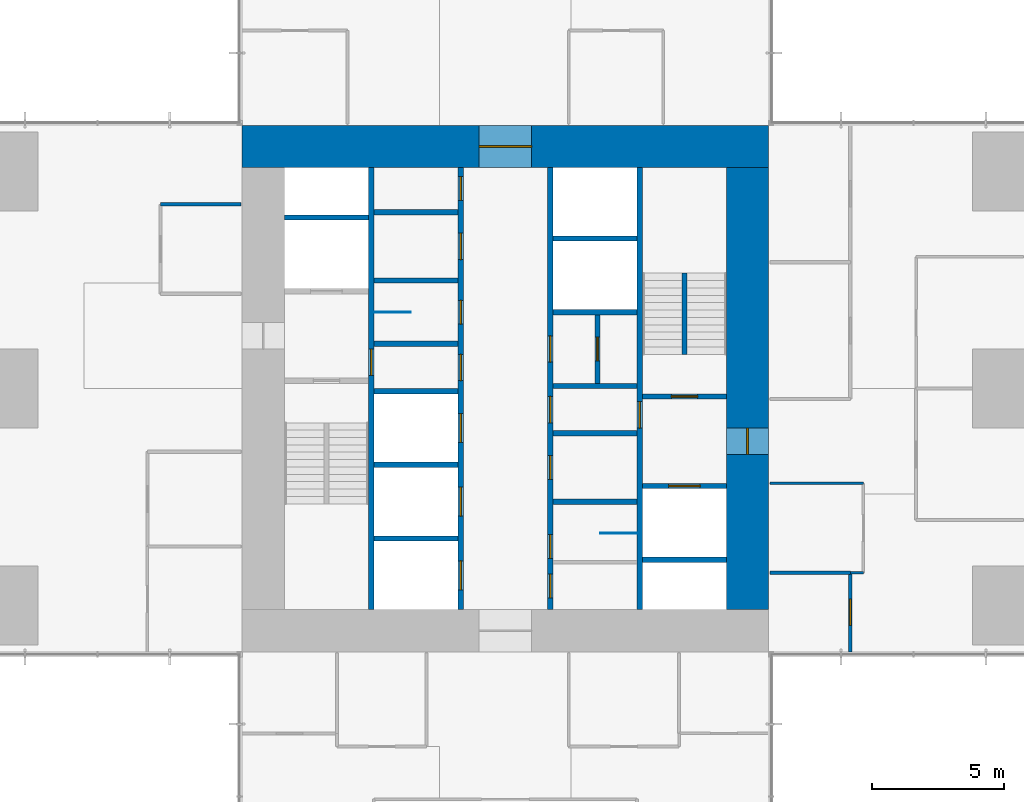
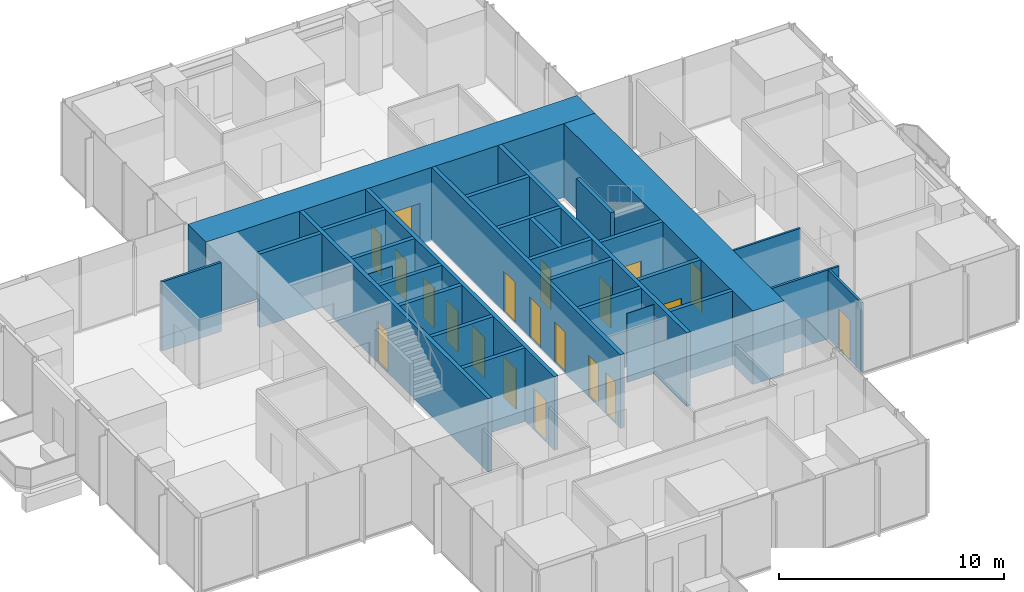
# One storey, part 9 of 13: 30 walls, 20 doors, 20 openings.
"""IFC4 building model written with IfcOpenShell, lengths in metres."""

from ifc_helpers import new_model, si_unit, direction, frame, frame_2d, origin, place, context, subcontext, project, spatial, rectangle, extrude, material, layer, layer_set, type_object, element, fill, save


model = new_model("IFC4")

# Units and contexts
model_context = context("Model", 3, precision=1e-05, world=origin(), true_north=direction((0.0, 1.0)))
body_context = subcontext(model_context, "Body", "Model", "MODEL_VIEW")
ifc_project = project(units=[si_unit("LENGTHUNIT", "METRE"), si_unit("AREAUNIT", "SQUARE_METRE"), si_unit("VOLUMEUNIT", "CUBIC_METRE"), si_unit("PLANEANGLEUNIT", "RADIAN"), si_unit("MASSUNIT", "GRAM", prefix="KILO")], contexts=[model_context])

# Site, building, storey
site_placement = place(None, origin())
site = spatial("IfcSite", under=ifc_project, at=site_placement, CompositionType="ELEMENT")
building_placement = place(site_placement, origin())
building = spatial("IfcBuilding", under=site, at=building_placement, Name="Svetlomir Tower", CompositionType="ELEMENT")
storey_placement = place(building_placement, frame((0.0, 0.0, 100.5)))
storey = spatial("IfcBuildingStorey", under=building, at=storey_placement, Name="L23", CompositionType="ELEMENT", Elevation=100.5)

# Wall, opening, door
ifc_material_1 = material(Name="Concrete C60/75", Category="concrete")
ifc_layer_1 = layer(ifc_material_1, 0.199951171875)
ifc_layer_set_1 = layer_set([ifc_layer_1], Name="Concrete C60/75")
wall_type_1 = type_object("IfcWallType", Name="CORE INNER WALL 200", PredefinedType="SHEAR", material=ifc_layer_set_1)
wall_1_placement = place(storey_placement, frame((15.89990234375, 12.60009765625, -0.050048828125), z_axis=(0.0, 0.0, 1.0), x_axis=(0.0, 1.0, 0.0)))
wall_1 = element("IfcWall", 1, at=wall_1_placement, inside=storey, type_object=wall_type_1, Name="Core inner wall 15.9 L23", PredefinedType="SHEAR", context=body_context, shape_type="SweptSolid", body=[
    extrude(rectangle(XDim=16.7998046875, YDim=0.199951171875, at=frame_2d((8.39990234375, 0.0))), origin(), (0.0, 0.0, 1.0), 4.0),
])
opening_1_placement = place(wall_1_placement, frame((8.89990234375, 0.0, 0.050048828125)))
opening_1 = element("IfcOpeningElement", 2, at=opening_1_placement, cuts=wall_1, Name="Opening DF", PredefinedType="OPENING", context=body_context, shape_type="SweptSolid", body=[
    extrude(rectangle(XDim=1.0, YDim=2.199951171875, at=frame_2d((0.5, 1.10009765625))), frame((0.0, 0.10986328125, 0.0), z_axis=(0.0, -1.0, 0.0), x_axis=(1.0, 0.0, 0.0)), (0.0, 0.0, 1.0), 0.219970703125),
])
ifc_material_2 = material(Name="Steel fire door", Category="steel")
door_type_1 = type_object("IfcDoorType", Name="DOOR DF 1000x2200", OperationType="SINGLE_SWING_LEFT", PredefinedType="DOOR", material=ifc_material_2)
door_1_placement = place(opening_1_placement, origin())
door_1 = element("IfcDoor", 3, at=door_1_placement, inside=storey, type_object=door_type_1, Name="Core corridor west door L23", OperationType="SINGLE_SWING_LEFT", OverallHeight=2.199951171875, OverallWidth=1.0, PredefinedType="DOOR", context=body_context, shape_type="SweptSolid", body=[
    extrude(rectangle(XDim=1.0, YDim=2.199951171875, at=frame_2d((0.5, 1.10009765625))), frame((0.0, 0.02490234375, 0.0), z_axis=(0.0, -1.0, 0.0), x_axis=(1.0, 0.0, 0.0)), (0.0, 0.0, 1.0), 0.050048828125),
])
fill(opening_1, door_1)

# Wall, openings, doors
wall_2_placement = place(storey_placement, frame((19.300048828125, 12.60009765625, -0.050048828125), z_axis=(0.0, 0.0, 1.0), x_axis=(0.0, 1.0, 0.0)))
wall_2 = element("IfcWall", 4, at=wall_2_placement, inside=storey, type_object=wall_type_1, Name="Core inner wall 19.3 L23", PredefinedType="SHEAR", context=body_context, shape_type="SweptSolid", body=[
    extrude(rectangle(XDim=16.7998046875, YDim=0.199951171875, at=frame_2d((8.39990234375, 0.0))), origin(), (0.0, 0.0, 1.0), 4.0),
])
opening_2_placement = place(wall_2_placement, frame((8.699951171875, 0.0, 0.050048828125)))
opening_2 = element("IfcOpeningElement", 5, at=opening_2_placement, cuts=wall_2, Name="Opening DC", PredefinedType="OPENING", context=body_context, shape_type="SweptSolid", body=[
    extrude(rectangle(XDim=1.0, YDim=2.199951171875, at=frame_2d((0.5, 1.10009765625))), frame((0.0, 0.10986328125, 0.0), z_axis=(0.0, -1.0, 0.0), x_axis=(1.0, 0.0, 0.0)), (0.0, 0.0, 1.0), 0.219970703125),
])
opening_3_placement = place(wall_2_placement, frame((10.85009765625, 0.0, 0.050048828125)))
opening_3 = element("IfcOpeningElement", 6, at=opening_3_placement, cuts=wall_2, Name="Opening DW", PredefinedType="OPENING", context=body_context, shape_type="SweptSolid", body=[
    extrude(rectangle(XDim=0.89990234375, YDim=2.199951171875, at=frame_2d((0.449951171875, 1.10009765625))), frame((0.0, 0.10986328125, 0.0), z_axis=(0.0, -1.0, 0.0), x_axis=(1.0, 0.0, 0.0)), (0.0, 0.0, 1.0), 0.219970703125),
])
opening_4_placement = place(wall_2_placement, frame((13.300048828125, 0.0, 0.050048828125)))
opening_4 = element("IfcOpeningElement", 7, at=opening_4_placement, cuts=wall_2, Name="Opening DC", PredefinedType="OPENING", context=body_context, shape_type="SweptSolid", body=[
    extrude(rectangle(XDim=1.0, YDim=2.199951171875, at=frame_2d((0.5, 1.10009765625))), frame((0.0, 0.10986328125, 0.0), z_axis=(0.0, -1.0, 0.0), x_axis=(1.0, 0.0, 0.0)), (0.0, 0.0, 1.0), 0.219970703125),
])
opening_5_placement = place(wall_2_placement, frame((15.550048828125, 0.0, 0.050048828125)))
opening_5 = element("IfcOpeningElement", 8, at=opening_5_placement, cuts=wall_2, Name="Opening DW", PredefinedType="OPENING", context=body_context, shape_type="SweptSolid", body=[
    extrude(rectangle(XDim=0.89990234375, YDim=2.199951171875, at=frame_2d((0.449951171875, 1.10009765625))), frame((0.0, 0.10986328125, 0.0), z_axis=(0.0, -1.0, 0.0), x_axis=(1.0, 0.0, 0.0)), (0.0, 0.0, 1.0), 0.219970703125),
])
opening_6_placement = place(wall_2_placement, frame((0.75, 0.0, 0.050048828125)))
opening_6 = element("IfcOpeningElement", 9, at=opening_6_placement, cuts=wall_2, Name="Opening LD", PredefinedType="OPENING", context=body_context, shape_type="SweptSolid", body=[
    extrude(rectangle(XDim=1.10009765625, YDim=2.199951171875, at=frame_2d((0.550048828125, 1.10009765625))), frame((0.0, 0.10986328125, 0.0), z_axis=(0.0, -1.0, 0.0), x_axis=(1.0, 0.0, 0.0)), (0.0, 0.0, 1.0), 0.219970703125),
])
opening_7_placement = place(wall_2_placement, frame((3.550048828125, 0.0, 0.050048828125)))
opening_7 = element("IfcOpeningElement", 10, at=opening_7_placement, cuts=wall_2, Name="Opening LD", PredefinedType="OPENING", context=body_context, shape_type="SweptSolid", body=[
    extrude(rectangle(XDim=1.10009765625, YDim=2.199951171875, at=frame_2d((0.550048828125, 1.10009765625))), frame((0.0, 0.10986328125, 0.0), z_axis=(0.0, -1.0, 0.0), x_axis=(1.0, 0.0, 0.0)), (0.0, 0.0, 1.0), 0.219970703125),
])
opening_8_placement = place(wall_2_placement, frame((6.35009765625, 0.0, 0.050048828125)))
opening_8 = element("IfcOpeningElement", 11, at=opening_8_placement, cuts=wall_2, Name="Opening LD", PredefinedType="OPENING", context=body_context, shape_type="SweptSolid", body=[
    extrude(rectangle(XDim=1.10009765625, YDim=2.199951171875, at=frame_2d((0.550048828125, 1.10009765625))), frame((0.0, 0.10986328125, 0.0), z_axis=(0.0, -1.0, 0.0), x_axis=(1.0, 0.0, 0.0)), (0.0, 0.0, 1.0), 0.219970703125),
])
ifc_material_3 = material(Name="Timber fire door", Category="wood")
door_type_2 = type_object("IfcDoorType", Name="DOOR DC 1000x2200", OperationType="SINGLE_SWING_LEFT", PredefinedType="DOOR", material=ifc_material_3)
door_2_placement = place(opening_2_placement, origin())
door_2 = element("IfcDoor", 12, at=door_2_placement, inside=storey, type_object=door_type_2, Name="Core corridor west lobby door L23", OperationType="SINGLE_SWING_RIGHT", OverallHeight=2.199951171875, OverallWidth=1.0, PredefinedType="DOOR", context=body_context, shape_type="SweptSolid", body=[
    extrude(rectangle(XDim=1.0, YDim=2.199951171875, at=frame_2d((0.5, 1.10009765625))), frame((0.0, 0.02490234375, 0.0), z_axis=(0.0, -1.0, 0.0), x_axis=(1.0, 0.0, 0.0)), (0.0, 0.0, 1.0), 0.050048828125),
])
fill(opening_2, door_2)
door_3_placement = place(opening_4_placement, origin())
door_3 = element("IfcDoor", 13, at=door_3_placement, inside=storey, type_object=door_type_2, Name="Accessible WC door L23", OperationType="SINGLE_SWING_LEFT", OverallHeight=2.199951171875, OverallWidth=1.0, PredefinedType="DOOR", context=body_context, shape_type="SweptSolid", body=[
    extrude(rectangle(XDim=1.0, YDim=2.199951171875, at=frame_2d((0.5, 1.10009765625))), frame((0.0, 0.02490234375, 0.0), z_axis=(0.0, -1.0, 0.0), x_axis=(1.0, 0.0, 0.0)), (0.0, 0.0, 1.0), 0.050048828125),
])
fill(opening_4, door_3)
ifc_material_4 = material(Name="Timber fire door", Category="wood")
door_type_3 = type_object("IfcDoorType", Name="DOOR DW 900x2200", OperationType="SINGLE_SWING_LEFT", PredefinedType="DOOR", material=ifc_material_4)
door_4_placement = place(opening_3_placement, origin())
door_4 = element("IfcDoor", 14, at=door_4_placement, inside=storey, type_object=door_type_3, Name="Female WC door L23", OperationType="SINGLE_SWING_RIGHT", OverallHeight=2.199951171875, OverallWidth=0.89990234375, PredefinedType="DOOR", context=body_context, shape_type="SweptSolid", body=[
    extrude(rectangle(XDim=0.89990234375, YDim=2.199951171875, at=frame_2d((0.449951171875, 1.10009765625))), frame((0.0, 0.02490234375, 0.0), z_axis=(0.0, -1.0, 0.0), x_axis=(1.0, 0.0, 0.0)), (0.0, 0.0, 1.0), 0.050048828125),
])
fill(opening_3, door_4)
door_5_placement = place(opening_5_placement, origin())
door_5 = element("IfcDoor", 15, at=door_5_placement, inside=storey, type_object=door_type_3, Name="IT floor distributor room door L23", OperationType="SINGLE_SWING_RIGHT", OverallHeight=2.199951171875, OverallWidth=0.89990234375, PredefinedType="DOOR", context=body_context, shape_type="SweptSolid", body=[
    extrude(rectangle(XDim=0.89990234375, YDim=2.199951171875, at=frame_2d((0.449951171875, 1.10009765625))), frame((0.0, 0.02490234375, 0.0), z_axis=(0.0, -1.0, 0.0), x_axis=(1.0, 0.0, 0.0)), (0.0, 0.0, 1.0), 0.050048828125),
])
fill(opening_5, door_5)
ifc_material_5 = material(Name="Stainless steel landing door", Category="steel")
door_type_4 = type_object("IfcDoorType", Name="LIFT LANDING DOOR LD 1100x2200", OperationType="DOUBLE_DOOR_SLIDING", PredefinedType="DOOR", material=ifc_material_5)
door_6_placement = place(opening_6_placement, origin())
door_6 = element("IfcDoor", 16, at=door_6_placement, inside=storey, type_object=door_type_4, Name="Landing door lift LB1 L23", OperationType="DOUBLE_DOOR_SLIDING", OverallHeight=2.199951171875, OverallWidth=1.10009765625, PredefinedType="DOOR", context=body_context, shape_type="SweptSolid", body=[
    extrude(rectangle(XDim=1.10009765625, YDim=2.199951171875, at=frame_2d((0.550048828125, 1.10009765625))), frame((0.0, 0.02490234375, 0.0), z_axis=(0.0, -1.0, 0.0), x_axis=(1.0, 0.0, 0.0)), (0.0, 0.0, 1.0), 0.050048828125),
])
fill(opening_6, door_6)
door_7_placement = place(opening_7_placement, origin())
door_7 = element("IfcDoor", 17, at=door_7_placement, inside=storey, type_object=door_type_4, Name="Landing door lift LB2 L23", OperationType="DOUBLE_DOOR_SLIDING", OverallHeight=2.199951171875, OverallWidth=1.10009765625, PredefinedType="DOOR", context=body_context, shape_type="SweptSolid", body=[
    extrude(rectangle(XDim=1.10009765625, YDim=2.199951171875, at=frame_2d((0.550048828125, 1.10009765625))), frame((0.0, 0.02490234375, 0.0), z_axis=(0.0, -1.0, 0.0), x_axis=(1.0, 0.0, 0.0)), (0.0, 0.0, 1.0), 0.050048828125),
])
fill(opening_7, door_7)
door_8_placement = place(opening_8_placement, origin())
door_8 = element("IfcDoor", 18, at=door_8_placement, inside=storey, type_object=door_type_4, Name="Landing door lift LB3 L23", OperationType="DOUBLE_DOOR_SLIDING", OverallHeight=2.199951171875, OverallWidth=1.10009765625, PredefinedType="DOOR", context=body_context, shape_type="SweptSolid", body=[
    extrude(rectangle(XDim=1.10009765625, YDim=2.199951171875, at=frame_2d((0.550048828125, 1.10009765625))), frame((0.0, 0.02490234375, 0.0), z_axis=(0.0, -1.0, 0.0), x_axis=(1.0, 0.0, 0.0)), (0.0, 0.0, 1.0), 0.050048828125),
])
fill(opening_8, door_8)

wall_3_placement = place(storey_placement, frame((22.699951171875, 12.60009765625, -0.050048828125), z_axis=(0.0, 0.0, 1.0), x_axis=(0.0, 1.0, 0.0)))
wall_3 = element("IfcWall", 19, at=wall_3_placement, inside=storey, type_object=wall_type_1, Name="Core inner wall 22.7 L23", PredefinedType="SHEAR", context=body_context, shape_type="SweptSolid", body=[
    extrude(rectangle(XDim=16.7998046875, YDim=0.199951171875, at=frame_2d((8.39990234375, 0.0))), origin(), (0.0, 0.0, 1.0), 4.0),
])
opening_9_placement = place(wall_3_placement, frame((0.449951171875, 0.0, 0.050048828125)))
opening_9 = element("IfcOpeningElement", 20, at=opening_9_placement, cuts=wall_3, Name="Opening DW", PredefinedType="OPENING", context=body_context, shape_type="SweptSolid", body=[
    extrude(rectangle(XDim=0.89990234375, YDim=2.199951171875, at=frame_2d((0.449951171875, 1.10009765625))), frame((0.0, 0.10986328125, 0.0), z_axis=(0.0, -1.0, 0.0), x_axis=(1.0, 0.0, 0.0)), (0.0, 0.0, 1.0), 0.219970703125),
])
opening_10_placement = place(wall_3_placement, frame((7.10009765625, 0.0, 0.050048828125)))
opening_10 = element("IfcOpeningElement", 21, at=opening_10_placement, cuts=wall_3, Name="Opening DC", PredefinedType="OPENING", context=body_context, shape_type="SweptSolid", body=[
    extrude(rectangle(XDim=1.0, YDim=2.199951171875, at=frame_2d((0.5, 1.10009765625))), frame((0.0, 0.10986328125, 0.0), z_axis=(0.0, -1.0, 0.0), x_axis=(1.0, 0.0, 0.0)), (0.0, 0.0, 1.0), 0.219970703125),
])
opening_11_placement = place(wall_3_placement, frame((1.949951171875, 0.0, 0.050048828125)))
opening_11 = element("IfcOpeningElement", 22, at=opening_11_placement, cuts=wall_3, Name="Opening DW", PredefinedType="OPENING", context=body_context, shape_type="SweptSolid", body=[
    extrude(rectangle(XDim=0.89990234375, YDim=2.199951171875, at=frame_2d((0.449951171875, 1.10009765625))), frame((0.0, 0.10986328125, 0.0), z_axis=(0.0, -1.0, 0.0), x_axis=(1.0, 0.0, 0.0)), (0.0, 0.0, 1.0), 0.219970703125),
])
opening_12_placement = place(wall_3_placement, frame((4.949951171875, 0.0, 0.050048828125)))
opening_12 = element("IfcOpeningElement", 23, at=opening_12_placement, cuts=wall_3, Name="Opening DW", PredefinedType="OPENING", context=body_context, shape_type="SweptSolid", body=[
    extrude(rectangle(XDim=0.89990234375, YDim=2.199951171875, at=frame_2d((0.449951171875, 1.10009765625))), frame((0.0, 0.10986328125, 0.0), z_axis=(0.0, -1.0, 0.0), x_axis=(1.0, 0.0, 0.0)), (0.0, 0.0, 1.0), 0.219970703125),
])
opening_13_placement = place(wall_3_placement, frame((9.39990234375, 0.0, 0.050048828125)))
opening_13 = element("IfcOpeningElement", 24, at=opening_13_placement, cuts=wall_3, Name="Opening DC", PredefinedType="OPENING", context=body_context, shape_type="SweptSolid", body=[
    extrude(rectangle(XDim=1.0, YDim=2.199951171875, at=frame_2d((0.5, 1.10009765625))), frame((0.0, 0.10986328125, 0.0), z_axis=(0.0, -1.0, 0.0), x_axis=(1.0, 0.0, 0.0)), (0.0, 0.0, 1.0), 0.219970703125),
])
door_9_placement = place(opening_10_placement, origin())
door_9 = element("IfcDoor", 25, at=door_9_placement, inside=storey, type_object=door_type_2, Name="Core corridor east lobby door L23", OperationType="SINGLE_SWING_LEFT", OverallHeight=2.199951171875, OverallWidth=1.0, PredefinedType="DOOR", context=body_context, shape_type="SweptSolid", body=[
    extrude(rectangle(XDim=1.0, YDim=2.199951171875, at=frame_2d((0.5, 1.10009765625))), frame((0.0, 0.02490234375, 0.0), z_axis=(0.0, -1.0, 0.0), x_axis=(1.0, 0.0, 0.0)), (0.0, 0.0, 1.0), 0.050048828125),
])
fill(opening_10, door_9)
door_10_placement = place(opening_13_placement, origin())
door_10 = element("IfcDoor", 26, at=door_10_placement, inside=storey, type_object=door_type_2, Name="Converted shaft BANK-E1 room door L23", OperationType="SINGLE_SWING_LEFT", OverallHeight=2.199951171875, OverallWidth=1.0, PredefinedType="DOOR", context=body_context, shape_type="SweptSolid", body=[
    extrude(rectangle(XDim=1.0, YDim=2.199951171875, at=frame_2d((0.5, 1.10009765625))), frame((0.0, 0.02490234375, 0.0), z_axis=(0.0, -1.0, 0.0), x_axis=(1.0, 0.0, 0.0)), (0.0, 0.0, 1.0), 0.050048828125),
])
fill(opening_13, door_10)
door_11_placement = place(opening_9_placement, origin())
door_11 = element("IfcDoor", 27, at=door_11_placement, inside=storey, type_object=door_type_3, Name="Floor store door L23", OperationType="SINGLE_SWING_LEFT", OverallHeight=2.199951171875, OverallWidth=0.89990234375, PredefinedType="DOOR", context=body_context, shape_type="SweptSolid", body=[
    extrude(rectangle(XDim=0.89990234375, YDim=2.199951171875, at=frame_2d((0.449951171875, 1.10009765625))), frame((0.0, 0.02490234375, 0.0), z_axis=(0.0, -1.0, 0.0), x_axis=(1.0, 0.0, 0.0)), (0.0, 0.0, 1.0), 0.050048828125),
])
fill(opening_9, door_11)
door_12_placement = place(opening_11_placement, origin())
door_12 = element("IfcDoor", 28, at=door_12_placement, inside=storey, type_object=door_type_3, Name="Male WC door L23", OperationType="SINGLE_SWING_LEFT", OverallHeight=2.199951171875, OverallWidth=0.89990234375, PredefinedType="DOOR", context=body_context, shape_type="SweptSolid", body=[
    extrude(rectangle(XDim=0.89990234375, YDim=2.199951171875, at=frame_2d((0.449951171875, 1.10009765625))), frame((0.0, 0.02490234375, 0.0), z_axis=(0.0, -1.0, 0.0), x_axis=(1.0, 0.0, 0.0)), (0.0, 0.0, 1.0), 0.050048828125),
])
fill(opening_11, door_12)
door_13_placement = place(opening_12_placement, origin())
door_13 = element("IfcDoor", 29, at=door_13_placement, inside=storey, type_object=door_type_3, Name="Comms room door L23", OperationType="SINGLE_SWING_RIGHT", OverallHeight=2.199951171875, OverallWidth=0.89990234375, PredefinedType="DOOR", context=body_context, shape_type="SweptSolid", body=[
    extrude(rectangle(XDim=0.89990234375, YDim=2.199951171875, at=frame_2d((0.449951171875, 1.10009765625))), frame((0.0, 0.02490234375, 0.0), z_axis=(0.0, -1.0, 0.0), x_axis=(1.0, 0.0, 0.0)), (0.0, 0.0, 1.0), 0.050048828125),
])
fill(opening_12, door_13)

# Wall, opening, door
wall_4_placement = place(storey_placement, frame((26.10009765625, 12.60009765625, -0.050048828125), z_axis=(0.0, 0.0, 1.0), x_axis=(0.0, 1.0, 0.0)))
wall_4 = element("IfcWall", 30, at=wall_4_placement, inside=storey, type_object=wall_type_1, Name="Core inner wall 26.1 L23", PredefinedType="SHEAR", context=body_context, shape_type="SweptSolid", body=[
    extrude(rectangle(XDim=16.7998046875, YDim=0.199951171875, at=frame_2d((8.39990234375, 0.0))), origin(), (0.0, 0.0, 1.0), 4.0),
])
opening_14_placement = place(wall_4_placement, frame((6.89990234375, 0.0, 0.050048828125)))
opening_14 = element("IfcOpeningElement", 31, at=opening_14_placement, cuts=wall_4, Name="Opening DF", PredefinedType="OPENING", context=body_context, shape_type="SweptSolid", body=[
    extrude(rectangle(XDim=1.0, YDim=2.199951171875, at=frame_2d((0.5, 1.10009765625))), frame((0.0, 0.10986328125, 0.0), z_axis=(0.0, -1.0, 0.0), x_axis=(1.0, 0.0, 0.0)), (0.0, 0.0, 1.0), 0.219970703125),
])
door_14_placement = place(opening_14_placement, origin())
door_14 = element("IfcDoor", 32, at=door_14_placement, inside=storey, type_object=door_type_1, Name="Core corridor east door L23", OperationType="SINGLE_SWING_LEFT", OverallHeight=2.199951171875, OverallWidth=1.0, PredefinedType="DOOR", context=body_context, shape_type="SweptSolid", body=[
    extrude(rectangle(XDim=1.0, YDim=2.199951171875, at=frame_2d((0.5, 1.10009765625))), frame((0.0, 0.02490234375, 0.0), z_axis=(0.0, -1.0, 0.0), x_axis=(1.0, 0.0, 0.0)), (0.0, 0.0, 1.0), 0.050048828125),
])
fill(opening_14, door_14)

# Walls
for number, where, z_axis, x_axis, name in (
    (33, (12.60009765625, 27.5, -0.050048828125), (0.0, 0.0, 1.0), (1.0, 0.0, 0.0), "Core inner wall 12.6-15.8/27.5 L23"),
    (34, (16.0, 15.300048828125, -0.050048828125), (0.0, 0.0, 1.0), (1.0, 0.0, 0.0), "Core inner wall 16-19.2/15.3 L23"),
    (35, (16.0, 18.10009765625, -0.050048828125), (0.0, 0.0, 1.0), (1.0, 0.0, 0.0), "Core inner wall 16-19.2/18.1 L23"),
    (36, (16.0, 20.89990234375, -0.050048828125), (0.0, 0.0, 1.0), (1.0, 0.0, 0.0), "Core inner wall 16-19.2/20.9 L23"),
    (37, (16.0, 22.699951171875, -0.050048828125), (0.0, 0.0, 1.0), (1.0, 0.0, 0.0), "Core inner wall 16-19.2/22.7 L23"),
    (38, (16.0, 25.10009765625, -0.050048828125), (0.0, 0.0, 1.0), (1.0, 0.0, 0.0), "Core inner wall 16-19.2/25.1 L23"),
    (39, (16.0, 27.699951171875, -0.050048828125), (0.0, 0.0, 1.0), (1.0, 0.0, 0.0), "Core inner wall 16-19.2/27.7 L23"),
    (40, (22.800048828125, 16.699951171875, -0.050048828125), (0.0, 0.0, 1.0), (1.0, 0.0, 0.0), "Core inner wall 22.8-26/16.7 L23"),
    (41, (22.800048828125, 19.300048828125, -0.050048828125), (0.0, 0.0, 1.0), (1.0, 0.0, 0.0), "Core inner wall 22.8-26/19.3 L23"),
    (42, (22.800048828125, 21.10009765625, -0.050048828125), (0.0, 0.0, 1.0), (1.0, 0.0, 0.0), "Core inner wall 22.8-26/21.1 L23"),
    (43, (22.800048828125, 23.89990234375, -0.050048828125), (0.0, 0.0, 1.0), (1.0, 0.0, 0.0), "Core inner wall 22.8-26/23.9 L23"),
    (44, (22.800048828125, 26.699951171875, -0.050048828125), (0.0, 0.0, 1.0), (1.0, 0.0, 0.0), "Core inner wall 22.8-26/26.7 L23"),
    (45, (26.199951171875, 14.5, -0.050048828125), (0.0, 0.0, 1.0), (1.0, 0.0, 0.0), "Core inner wall 26.2-29.4/14.5 L23"),
):
    element("IfcWall", number, at=place(storey_placement, frame(where, z_axis=z_axis, x_axis=x_axis)), inside=storey, type_object=wall_type_1, Name=name, PredefinedType="SHEAR", context=body_context, shape_type="SweptSolid", body=[
        extrude(rectangle(XDim=3.199951171875, YDim=0.199951171875, at=frame_2d((1.60009765625, 0.0))), origin(), (0.0, 0.0, 1.0), 4.0),
    ])

# Wall, opening, door
wall_5_placement = place(storey_placement, frame((26.199951171875, 17.300048828125, -0.050048828125), z_axis=(0.0, 0.0, 1.0), x_axis=(1.0, 0.0, 0.0)))
wall_5 = element("IfcWall", 46, at=wall_5_placement, inside=storey, type_object=wall_type_1, Name="Core inner wall 26.2-29.4/17.3 L23", PredefinedType="SHEAR", context=body_context, shape_type="SweptSolid", body=[
    extrude(rectangle(XDim=3.199951171875, YDim=0.199951171875, at=frame_2d((1.60009765625, 0.0))), origin(), (0.0, 0.0, 1.0), 4.0),
])
opening_15_placement = place(wall_5_placement, frame((1.0, 0.0, 0.050048828125)))
opening_15 = element("IfcOpeningElement", 47, at=opening_15_placement, cuts=wall_5, Name="Opening LD3", PredefinedType="OPENING", context=body_context, shape_type="SweptSolid", body=[
    extrude(rectangle(XDim=1.199951171875, YDim=2.199951171875, at=frame_2d((0.60009765625, 1.10009765625))), frame((0.0, 0.10986328125, 0.0), z_axis=(0.0, -1.0, 0.0), x_axis=(1.0, 0.0, 0.0)), (0.0, 0.0, 1.0), 0.219970703125),
])
ifc_material_6 = material(Name="Stainless steel fire-rated landing door", Category="steel")
door_type_5 = type_object("IfcDoorType", Name="FIREFIGHTING LIFT LANDING DOOR LD3 1200x2200", OperationType="DOUBLE_DOOR_SLIDING", PredefinedType="DOOR", material=ifc_material_6)
door_15_placement = place(opening_15_placement, origin())
door_15 = element("IfcDoor", 48, at=door_15_placement, inside=storey, type_object=door_type_5, Name="Landing door lift FL2 L23", OperationType="DOUBLE_DOOR_SLIDING", OverallHeight=2.199951171875, OverallWidth=1.199951171875, PredefinedType="DOOR", context=body_context, shape_type="SweptSolid", body=[
    extrude(rectangle(XDim=1.199951171875, YDim=2.199951171875, at=frame_2d((0.60009765625, 1.10009765625))), frame((0.0, 0.02490234375, 0.0), z_axis=(0.0, -1.0, 0.0), x_axis=(1.0, 0.0, 0.0)), (0.0, 0.0, 1.0), 0.050048828125),
])
fill(opening_15, door_15)

wall_6_placement = place(storey_placement, frame((26.199951171875, 20.699951171875, -0.050048828125), z_axis=(0.0, 0.0, 1.0), x_axis=(1.0, 0.0, 0.0)))
wall_6 = element("IfcWall", 49, at=wall_6_placement, inside=storey, type_object=wall_type_1, Name="Core inner wall 26.2-29.4/20.7 L23", PredefinedType="SHEAR", context=body_context, shape_type="SweptSolid", body=[
    extrude(rectangle(XDim=3.199951171875, YDim=0.199951171875, at=frame_2d((1.60009765625, 0.0))), origin(), (0.0, 0.0, 1.0), 4.0),
])
opening_16_placement = place(wall_6_placement, frame((1.10009765625, 0.0, 0.050048828125)))
opening_16 = element("IfcOpeningElement", 50, at=opening_16_placement, cuts=wall_6, Name="Opening DF", PredefinedType="OPENING", context=body_context, shape_type="SweptSolid", body=[
    extrude(rectangle(XDim=1.0, YDim=2.199951171875, at=frame_2d((0.5, 1.10009765625))), frame((0.0, 0.10986328125, 0.0), z_axis=(0.0, -1.0, 0.0), x_axis=(1.0, 0.0, 0.0)), (0.0, 0.0, 1.0), 0.219970703125),
])
door_16_placement = place(opening_16_placement, origin())
door_16 = element("IfcDoor", 51, at=door_16_placement, inside=storey, type_object=door_type_1, Name="Stair S2 door L23", OperationType="SINGLE_SWING_LEFT", OverallHeight=2.199951171875, OverallWidth=1.0, PredefinedType="DOOR", context=body_context, shape_type="SweptSolid", body=[
    extrude(rectangle(XDim=1.0, YDim=2.199951171875, at=frame_2d((0.5, 1.10009765625))), frame((0.0, 0.02490234375, 0.0), z_axis=(0.0, -1.0, 0.0), x_axis=(1.0, 0.0, 0.0)), (0.0, 0.0, 1.0), 0.050048828125),
])
fill(opening_16, door_16)

wall_7_placement = place(storey_placement, frame((24.5, 21.199951171875, -0.050048828125), z_axis=(0.0, 0.0, 1.0), x_axis=(0.0, 1.0, 0.0)))
wall_7 = element("IfcWall", 52, at=wall_7_placement, inside=storey, type_object=wall_type_1, Name="Core inner wall 24.5/21.2-23.8 L23", PredefinedType="SHEAR", context=body_context, shape_type="SweptSolid", body=[
    extrude(rectangle(XDim=2.60009765625, YDim=0.199951171875, at=frame_2d((1.300048828125, 0.0))), origin(), (0.0, 0.0, 1.0), 4.0),
])
opening_17_placement = place(wall_7_placement, frame((0.85009765625, 0.0, 0.050048828125)))
opening_17 = element("IfcOpeningElement", 53, at=opening_17_placement, cuts=wall_7, Name="Opening DW", PredefinedType="OPENING", context=body_context, shape_type="SweptSolid", body=[
    extrude(rectangle(XDim=0.89990234375, YDim=2.199951171875, at=frame_2d((0.449951171875, 1.10009765625))), frame((0.0, 0.10986328125, 0.0), z_axis=(0.0, -1.0, 0.0), x_axis=(1.0, 0.0, 0.0)), (0.0, 0.0, 1.0), 0.219970703125),
])
door_17_placement = place(opening_17_placement, origin())
door_17 = element("IfcDoor", 54, at=door_17_placement, inside=storey, type_object=door_type_3, Name="Converted shaft BANK-E1 back room door L23", OperationType="SINGLE_SWING_RIGHT", OverallHeight=2.199951171875, OverallWidth=0.89990234375, PredefinedType="DOOR", context=body_context, shape_type="SweptSolid", body=[
    extrude(rectangle(XDim=0.89990234375, YDim=2.199951171875, at=frame_2d((0.449951171875, 1.10009765625))), frame((0.0, 0.02490234375, 0.0), z_axis=(0.0, -1.0, 0.0), x_axis=(1.0, 0.0, 0.0)), (0.0, 0.0, 1.0), 0.050048828125),
])
fill(opening_17, door_17)

ifc_material_7 = material(Name="Concrete C60/75", Category="concrete")
ifc_layer_2 = layer(ifc_material_7, 1.60009765625)
ifc_layer_set_2 = layer_set([ifc_layer_2], Name="Concrete C60/75")
wall_type_2 = type_object("IfcWallType", Name="CORE WALL 1600", PredefinedType="SHEAR", material=ifc_layer_set_2)
wall_8_placement = place(storey_placement, frame((11.0, 30.199951171875, -0.050048828125), z_axis=(0.0, 0.0, 1.0), x_axis=(1.0, 0.0, 0.0)))
wall_8 = element("IfcWall", 55, at=wall_8_placement, inside=storey, type_object=wall_type_2, Name="Core wall north L23", PredefinedType="SHEAR", context=body_context, shape_type="SweptSolid", body=[
    extrude(rectangle(XDim=20.0, YDim=1.60009765625, at=frame_2d((10.0, 0.0))), origin(), (0.0, 0.0, 1.0), 4.0),
])
opening_18_placement = place(wall_8_placement, frame((9.0, 0.0, 0.050048828125)))
opening_18 = element("IfcOpeningElement", 56, at=opening_18_placement, cuts=wall_8, Name="Opening DL", PredefinedType="OPENING", context=body_context, shape_type="SweptSolid", body=[
    extrude(rectangle(XDim=2.0, YDim=2.199951171875, at=frame_2d((1.0, 1.10009765625))), frame((0.0, 0.81005859375, 0.0), z_axis=(0.0, -1.0, 0.0), x_axis=(1.0, 0.0, 0.0)), (0.0, 0.0, 1.0), 1.6201171875),
])
ifc_material_8 = material(Name="Steel fire door", Category="steel")
door_type_6 = type_object("IfcDoorType", Name="DOOR DL 2000x2200", OperationType="DOUBLE_DOOR_SINGLE_SWING", PredefinedType="DOOR", material=ifc_material_8)
door_18_placement = place(opening_18_placement, origin())
door_18 = element("IfcDoor", 57, at=door_18_placement, inside=storey, type_object=door_type_6, Name="Lift lobby north door L23", OperationType="DOUBLE_DOOR_SINGLE_SWING", OverallHeight=2.199951171875, OverallWidth=2.0, PredefinedType="DOOR", context=body_context, shape_type="SweptSolid", body=[
    extrude(rectangle(XDim=2.0, YDim=2.199951171875, at=frame_2d((1.0, 1.10009765625))), frame((0.0, 0.02490234375, 0.0), z_axis=(0.0, -1.0, 0.0), x_axis=(1.0, 0.0, 0.0)), (0.0, 0.0, 1.0), 0.050048828125),
])
fill(opening_18, door_18)

wall_9_placement = place(storey_placement, frame((30.199951171875, 12.60009765625, -0.050048828125), z_axis=(0.0, 0.0, 1.0), x_axis=(0.0, 1.0, 0.0)))
wall_9 = element("IfcWall", 58, at=wall_9_placement, inside=storey, type_object=wall_type_2, Name="Core wall east L23", PredefinedType="SHEAR", context=body_context, shape_type="SweptSolid", body=[
    extrude(rectangle(XDim=16.7998046875, YDim=1.60009765625, at=frame_2d((8.39990234375, 0.0))), origin(), (0.0, 0.0, 1.0), 4.0),
])
opening_19_placement = place(wall_9_placement, frame((5.89990234375, 0.0, 0.050048828125)))
opening_19 = element("IfcOpeningElement", 59, at=opening_19_placement, cuts=wall_9, Name="Opening DF", PredefinedType="OPENING", context=body_context, shape_type="SweptSolid", body=[
    extrude(rectangle(XDim=1.0, YDim=2.199951171875, at=frame_2d((0.5, 1.10009765625))), frame((0.0, 0.81005859375, 0.0), z_axis=(0.0, -1.0, 0.0), x_axis=(1.0, 0.0, 0.0)), (0.0, 0.0, 1.0), 1.6201171875),
])
door_19_placement = place(opening_19_placement, origin())
door_19 = element("IfcDoor", 60, at=door_19_placement, inside=storey, type_object=door_type_1, Name="Firefighting lobby east door L23", OperationType="SINGLE_SWING_LEFT", OverallHeight=2.199951171875, OverallWidth=1.0, PredefinedType="DOOR", context=body_context, shape_type="SweptSolid", body=[
    extrude(rectangle(XDim=1.0, YDim=2.199951171875, at=frame_2d((0.5, 1.10009765625))), frame((0.0, 0.02490234375, 0.0), z_axis=(0.0, -1.0, 0.0), x_axis=(1.0, 0.0, 0.0)), (0.0, 0.0, 1.0), 0.050048828125),
])
fill(opening_19, door_19)

# Walls
ifc_material_9 = material(Name="Framed laminated glass partition", Category="glass")
ifc_layer_3 = layer(ifc_material_9, 0.10009765625)
ifc_layer_set_3 = layer_set([ifc_layer_3], Name="Framed laminated glass partition")
wall_type_3 = type_object("IfcWallType", Name="GLAZED PARTITION 100", PredefinedType="PARTITIONING", material=ifc_layer_set_3)
wall_10_placement = place(storey_placement, frame((31.050048828125, 17.39990234375, 0.0), z_axis=(0.0, 0.0, 1.0), x_axis=(1.0, 0.0, 0.0)))
element("IfcWall", 61, at=wall_10_placement, inside=storey, type_object=wall_type_3, Name="Glazed partition L23", PredefinedType="PARTITIONING", context=body_context, shape_type="SweptSolid", body=[
    extrude(rectangle(XDim=3.550048828125, YDim=0.10009765625, at=frame_2d((1.77490234375, 0.0))), origin(), (0.0, 0.0, 1.0), 3.75),
])
wall_11_placement = place(storey_placement, frame((34.10009765625, 14.0, 0.0), z_axis=(0.0, 0.0, 1.0), x_axis=(1.0, 0.0, 0.0)))
element("IfcWall", 62, at=wall_11_placement, inside=storey, type_object=wall_type_3, Name="Glazed partition L23", PredefinedType="PARTITIONING", context=body_context, shape_type="SweptSolid", body=[
    extrude(rectangle(XDim=0.5, YDim=0.10009765625, at=frame_2d((0.25, 0.0))), origin(), (0.0, 0.0, 1.0), 3.75),
])
ifc_material_10 = material(Name="Gypsum board on steel studs", Category="steel")
ifc_layer_4 = layer(ifc_material_10, 0.1201171875)
ifc_layer_set_4 = layer_set([ifc_layer_4], Name="Gypsum board on steel studs")
wall_type_4 = type_object("IfcWallType", Name="PARTITION 120", PredefinedType="PARTITIONING", material=ifc_layer_set_4)
for number, where, z_axis, x_axis, name in (
    (63, (7.89990234375, 28.0, 0.0), (0.0, 0.0, 1.0), (1.0, 0.0, 0.0), "Partition L23"),
    (64, (31.050048828125, 14.0, 0.0), (0.0, 0.0, 1.0), (1.0, 0.0, 0.0), "Partition L23"),
):
    element("IfcWall", number, at=place(storey_placement, frame(where, z_axis=z_axis, x_axis=x_axis)), inside=storey, type_object=wall_type_4, Name=name, PredefinedType="PARTITIONING", context=body_context, shape_type="SweptSolid", body=[
        extrude(rectangle(XDim=3.050048828125, YDim=0.1201171875, at=frame_2d((1.52490234375, 0.0))), origin(), (0.0, 0.0, 1.0), 3.75),
    ])

# Wall, opening, door
wall_12_placement = place(storey_placement, frame((34.10009765625, 11.0, 0.0), z_axis=(0.0, 0.0, 1.0), x_axis=(0.0, 1.0, 0.0)))
wall_12 = element("IfcWall", 65, at=wall_12_placement, inside=storey, type_object=wall_type_4, Name="Partition L23", PredefinedType="PARTITIONING", context=body_context, shape_type="SweptSolid", body=[
    extrude(rectangle(XDim=3.0, YDim=0.1201171875, at=frame_2d((1.5, 0.0))), origin(), (0.0, 0.0, 1.0), 3.75),
])
opening_20_placement = place(wall_12_placement, frame((1.0, 0.0, 0.0)))
opening_20 = element("IfcOpeningElement", 66, at=opening_20_placement, cuts=wall_12, Name="Opening DR", PredefinedType="OPENING", context=body_context, shape_type="SweptSolid", body=[
    extrude(rectangle(XDim=1.0, YDim=2.199951171875, at=frame_2d((0.5, 1.10009765625))), frame((0.0, 0.070068359375, 0.0), z_axis=(0.0, -1.0, 0.0), x_axis=(1.0, 0.0, 0.0)), (0.0, 0.0, 1.0), 0.14013671875),
])
ifc_material_11 = material(Name="Timber door, glazed side light", Category="wood")
door_type_7 = type_object("IfcDoorType", Name="DOOR DR 1000x2200", OperationType="SINGLE_SWING_LEFT", PredefinedType="DOOR", material=ifc_material_11)
door_20_placement = place(opening_20_placement, origin())
door_20 = element("IfcDoor", 67, at=door_20_placement, inside=storey, type_object=door_type_7, Name="Print and copy room door L23", OperationType="SINGLE_SWING_RIGHT", OverallHeight=2.199951171875, OverallWidth=1.0, PredefinedType="DOOR", context=body_context, shape_type="SweptSolid", body=[
    extrude(rectangle(XDim=1.0, YDim=2.199951171875, at=frame_2d((0.5, 1.10009765625))), frame((0.0, 0.02490234375, 0.0), z_axis=(0.0, -1.0, 0.0), x_axis=(1.0, 0.0, 0.0)), (0.0, 0.0, 1.0), 0.050048828125),
])
fill(opening_20, door_20)

# Walls
ifc_material_12 = material(Name="Concrete C60/75", Category="concrete")
ifc_layer_5 = layer(ifc_material_12, 0.199951171875)
ifc_layer_set_5 = layer_set([ifc_layer_5], Name="Concrete C60/75")
wall_type_5 = type_object("IfcWallType", Name="STAIR SPINE WALL 200", PredefinedType="PARTITIONING", material=ifc_layer_set_5)
wall_13_placement = place(storey_placement, frame((27.800048828125, 22.300048828125, 0.0), z_axis=(0.0, 0.0, 1.0), x_axis=(0.0, 1.0, 0.0)))
element("IfcWall", 68, at=wall_13_placement, inside=storey, type_object=wall_type_5, Name="Stair S2 spine wall L23", PredefinedType="PARTITIONING", context=body_context, shape_type="SweptSolid", body=[
    extrude(rectangle(XDim=3.079833984375, YDim=0.199951171875, at=frame_2d((1.5400390625, 0.0))), origin(), (0.0, 0.0, 1.0), 4.0),
])
ifc_material_13 = material(Name="Compact laminate panel", Category="plastic")
ifc_layer_6 = layer(ifc_material_13, 0.030029296875)
ifc_layer_set_6 = layer_set([ifc_layer_6], Name="Compact laminate panel")
wall_type_6 = type_object("IfcWallType", Name="WC CUBICLE PARTITION 30", PredefinedType="PARTITIONING", material=ifc_layer_set_6)
for number, where, z_axis, x_axis, name in (
    (69, (24.60009765625, 15.5, 0.0), (0.0, 0.0, 1.0), (1.0, 0.0, 0.0), "WC cubicle partition L23"),
    (70, (16.0, 23.89990234375, 0.0), (0.0, 0.0, 1.0), (1.0, 0.0, 0.0), "WC cubicle partition L23"),
):
    element("IfcWall", number, at=place(storey_placement, frame(where, z_axis=z_axis, x_axis=x_axis)), inside=storey, type_object=wall_type_6, Name=name, PredefinedType="PARTITIONING", context=body_context, shape_type="SweptSolid", body=[
        extrude(rectangle(XDim=1.39990234375, YDim=0.030029296875, at=frame_2d((0.699951171875, 0.0))), origin(), (0.0, 0.0, 1.0), 3.75),
    ])

save(model, "model.ifc")
